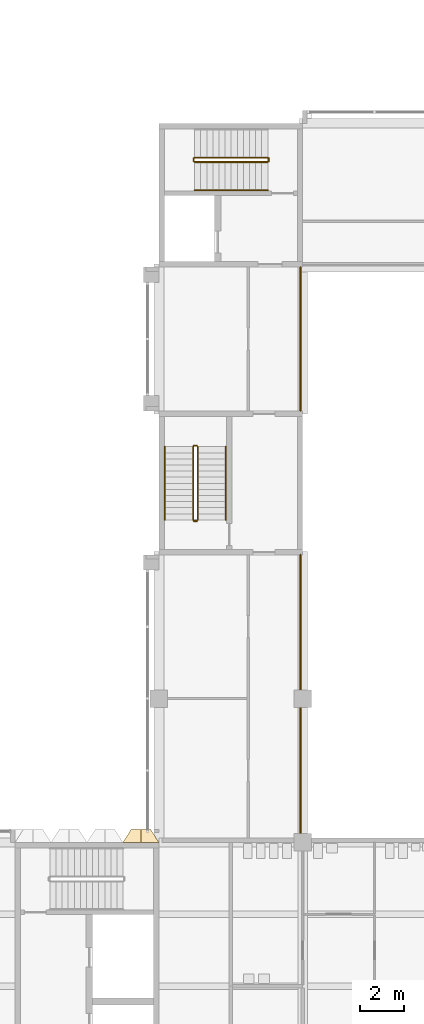
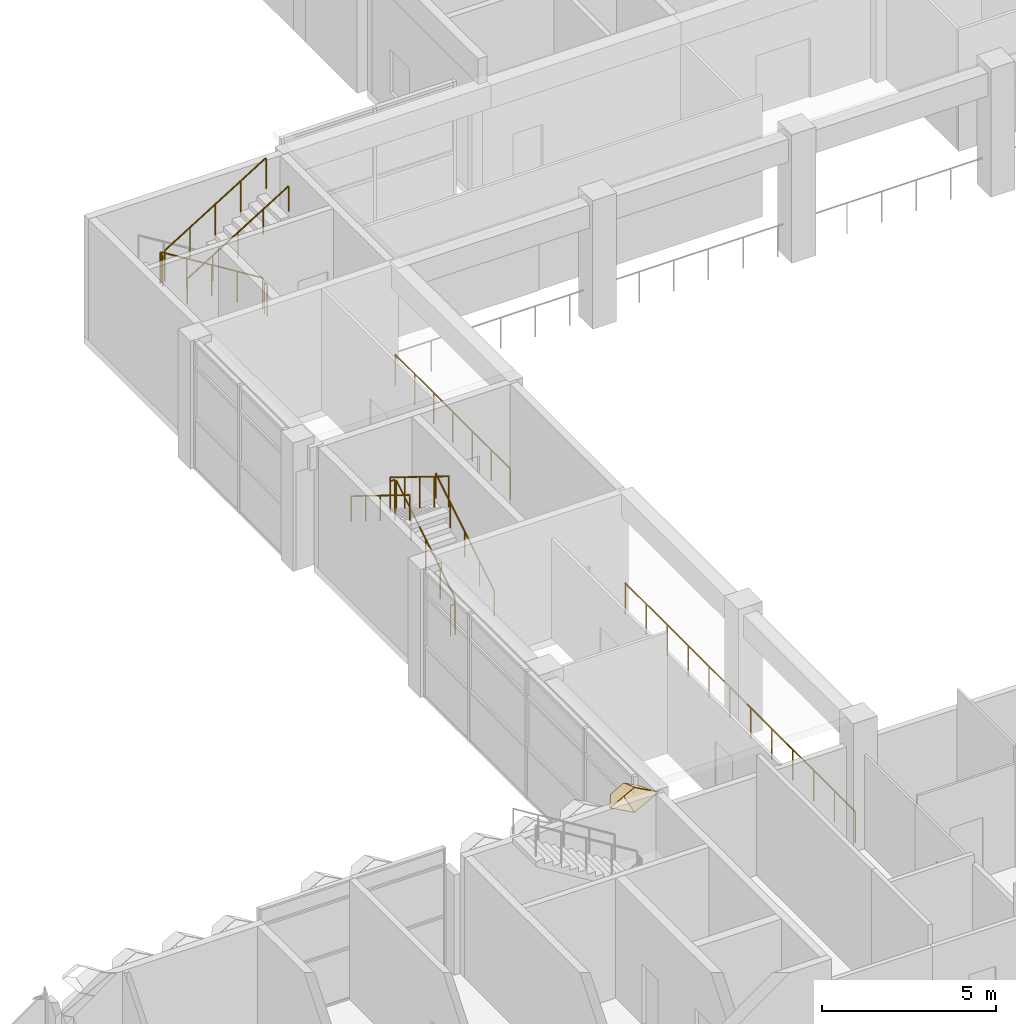
# One storey, part 57 of 87: 13 railings, 1 covering.
"""IFC4 building model written with IfcOpenShell, lengths in metres."""

from ifc_helpers import new_model, entity, si_unit, direction, frame, origin, origin_2d, place, context, subcontext, project, spatial, circle, extrude, material, layer, layer_set, type_object, element, save


model = new_model("IFC4")

# Units and contexts
model_context = context("Model", 3, precision=1e-05, world=origin(), true_north=direction((0.0, 1.0)))
body_context = subcontext(model_context, "Body", "Model", "MODEL_VIEW")
ifc_project = project(units=[si_unit("LENGTHUNIT", "METRE"), si_unit("AREAUNIT", "SQUARE_METRE"), si_unit("VOLUMEUNIT", "CUBIC_METRE"), si_unit("PLANEANGLEUNIT", "RADIAN"), si_unit("MASSUNIT", "GRAM", prefix="KILO")], contexts=[model_context])

# Site, building, storey
site_placement = place(None, origin())
site = spatial("IfcSite", under=ifc_project, at=site_placement, CompositionType="ELEMENT")
building_placement = place(site_placement, origin())
building = spatial("IfcBuilding", under=site, at=building_placement, Name="Lantern Court Research Institute", CompositionType="ELEMENT")
storey_placement = place(building_placement, frame((0.0, 0.0, 5.39990234375)))
storey = spatial("IfcBuildingStorey", under=building, at=storey_placement, Name="L01", CompositionType="ELEMENT", Elevation=5.39990234375)

# Covering
ifc_material_1 = material(Name="Anodised aluminium", Category="aluminium")
ifc_layer = layer(ifc_material_1, 0.01611328125)
ifc_layer_set = layer_set([ifc_layer], Name="Anodised aluminium")
covering_type = type_object("IfcCoveringType", Name="Fin cassette 1650 x 900 x 600 aluminium", PredefinedType="CLADDING", material=ifc_layer_set)
covering_placement = place(storey_placement, frame((38.77490234375, 23.10009765625, 4.050048828125), z_axis=(0.0, 1.0, 0.0), x_axis=(-1.0, 0.0, 0.0)))
cartesian_point_1 = entity("IfcCartesianPoint", [0.824951171875, 0.0])
cartesian_point_2 = entity("IfcCartesianPoint", [0.79150390625, 0.0])
cartesian_point_3 = entity("IfcCartesianPoint", [0.44189453125, 0.0])
cartesian_point_4 = entity("IfcCartesianPoint", [0.43359375, 0.0])
element("IfcCovering", 1, at=covering_placement, inside=storey, type_object=covering_type, Name="Fin cassette V4N-L01 5.24", PredefinedType="CLADDING", context=body_context, shape_type="SweptSolid", body=[
    entity("IfcExtrudedAreaSolidTapered", entity("IfcArbitraryProfileDefWithVoids", "AREA", None, entity("IfcPolyline", [cartesian_point_1, entity("IfcCartesianPoint", [0.0, 0.449951171875]), entity("IfcCartesianPoint", [-0.824951171875, 0.0]), entity("IfcCartesianPoint", [0.0, -0.449951171875]), cartesian_point_1]), [entity("IfcPolyline", [cartesian_point_2, entity("IfcCartesianPoint", [0.0, 0.431884765625]), entity("IfcCartesianPoint", [-0.79150390625, 0.0]), entity("IfcCartesianPoint", [0.0, -0.431884765625]), cartesian_point_2])]), entity("IfcAxis2Placement3D", entity("IfcCartesianPoint", [0.0, 0.0, 0.0])), entity("IfcDirection", [0.0, 0.0, 1.0]), 0.60009765625, entity("IfcArbitraryProfileDefWithVoids", "AREA", None, entity("IfcPolyline", [cartesian_point_3, entity("IfcCartesianPoint", [0.0, 0.240966796875]), entity("IfcCartesianPoint", [-0.44189453125, 0.0]), entity("IfcCartesianPoint", [0.0, -0.240966796875]), cartesian_point_3]), [entity("IfcPolyline", [cartesian_point_4, entity("IfcCartesianPoint", [0.0, 0.236572265625]), entity("IfcCartesianPoint", [-0.43359375, 0.0]), entity("IfcCartesianPoint", [0.0, -0.236572265625]), cartesian_point_4])])),
])

# Railings
ifc_material_2 = material(Name="Structural steel S355", Category="steel")
railing_type_1 = type_object("IfcRailingType", Name="Gallery guard 1100", PredefinedType="GUARDRAIL", material=ifc_material_2)
railing_1_placement = place(storey_placement, frame((46.10009765625, 23.10009765625, 0.0)))
element("IfcRailing", 2, at=railing_1_placement, inside=storey, type_object=railing_type_1, Name="Gallery guard L01", PredefinedType="GUARDRAIL", context=body_context, shape_type="SweptSolid", body=[
    extrude(circle(Radius=0.02490234375, at=origin_2d()), frame((0.0, 0.0, 1.0751953125), z_axis=(0.0, 1.0, 0.0), x_axis=(-1.0, 0.0, 0.0)), (0.0, 0.0, 1.0), 13.199951171875),
    extrude(circle(Radius=0.02001953125, at=origin_2d()), origin(), (0.0, 0.0, 1.0), 1.050048828125),
    extrude(circle(Radius=0.02001953125, at=origin_2d()), frame((0.0, 1.199951171875, 0.0)), (0.0, 0.0, 1.0), 1.050048828125),
    extrude(circle(Radius=0.02001953125, at=origin_2d()), frame((0.0, 2.39990234375, 0.0)), (0.0, 0.0, 1.0), 1.050048828125),
    extrude(circle(Radius=0.02001953125, at=origin_2d()), frame((0.0, 3.60009765625, 0.0)), (0.0, 0.0, 1.0), 1.050048828125),
    extrude(circle(Radius=0.02001953125, at=origin_2d()), frame((0.0, 4.800048828125, 0.0)), (0.0, 0.0, 1.0), 1.050048828125),
    extrude(circle(Radius=0.02001953125, at=origin_2d()), frame((0.0, 6.0, 0.0)), (0.0, 0.0, 1.0), 1.050048828125),
    extrude(circle(Radius=0.02001953125, at=origin_2d()), frame((0.0, 7.199951171875, 0.0)), (0.0, 0.0, 1.0), 1.050048828125),
    extrude(circle(Radius=0.02001953125, at=origin_2d()), frame((0.0, 8.39990234375, 0.0)), (0.0, 0.0, 1.0), 1.050048828125),
    extrude(circle(Radius=0.02001953125, at=origin_2d()), frame((0.0, 9.599853515625, 0.0)), (0.0, 0.0, 1.0), 1.050048828125),
    extrude(circle(Radius=0.02001953125, at=origin_2d()), frame((0.0, 10.800048828125, 0.0)), (0.0, 0.0, 1.0), 1.050048828125),
    extrude(circle(Radius=0.02001953125, at=origin_2d()), frame((0.0, 12.0, 0.0)), (0.0, 0.0, 1.0), 1.050048828125),
    extrude(circle(Radius=0.02001953125, at=origin_2d()), frame((0.0, 13.199951171875, 0.0)), (0.0, 0.0, 1.0), 1.050048828125),
])
railing_2_placement = place(storey_placement, frame((46.10009765625, 42.89990234375, 0.0)))
element("IfcRailing", 3, at=railing_2_placement, inside=storey, type_object=railing_type_1, Name="Gallery guard L01", PredefinedType="GUARDRAIL", context=body_context, shape_type="SweptSolid", body=[
    extrude(circle(Radius=0.02490234375, at=origin_2d()), frame((0.0, 0.0, 1.0751953125), z_axis=(0.0, 1.0, 0.0), x_axis=(-1.0, 0.0, 0.0)), (0.0, 0.0, 1.0), 6.60009765625),
    extrude(circle(Radius=0.02001953125, at=origin_2d()), origin(), (0.0, 0.0, 1.0), 1.050048828125),
    extrude(circle(Radius=0.02001953125, at=origin_2d()), frame((0.0, 1.10009765625, 0.0)), (0.0, 0.0, 1.0), 1.050048828125),
    extrude(circle(Radius=0.02001953125, at=origin_2d()), frame((0.0, 2.199951171875, 0.0)), (0.0, 0.0, 1.0), 1.050048828125),
    extrude(circle(Radius=0.02001953125, at=origin_2d()), frame((0.0, 3.300048828125, 0.0)), (0.0, 0.0, 1.0), 1.050048828125),
    extrude(circle(Radius=0.02001953125, at=origin_2d()), frame((0.0, 4.400146484375, 0.0)), (0.0, 0.0, 1.0), 1.050048828125),
    extrude(circle(Radius=0.02001953125, at=origin_2d()), frame((0.0, 5.5, 0.0)), (0.0, 0.0, 1.0), 1.050048828125),
    extrude(circle(Radius=0.02001953125, at=origin_2d()), frame((0.0, 6.60009765625, 0.0)), (0.0, 0.0, 1.0), 1.050048828125),
])
ifc_material_3 = material(Name="Structural steel S355", Category="steel")
railing_type_2 = type_object("IfcRailingType", Name="Stair guard 1100 steel", PredefinedType="GUARDRAIL", material=ifc_material_3)
railing_3_placement = place(storey_placement, frame((44.60009765625, 54.52490234375, 0.173095703125)))
element("IfcRailing", 4, at=railing_3_placement, inside=storey, type_object=railing_type_2, Name="L01 ST-H1 stair guard 1", PredefinedType="GUARDRAIL", context=body_context, shape_type="SweptSolid", body=[
    extrude(circle(Radius=0.02392578125, at=origin_2d()), frame((0.0, 0.0, 1.076171875), z_axis=(-0.850623216509, 0.0, 0.525775754039), x_axis=(0.0, -1.0, 0.0)), (0.0, 0.0, 1.0), 3.9501953125),
    extrude(circle(Radius=0.02099609375, at=origin_2d()), origin(), (0.0, 0.0, 1.0), 1.052001953125),
    extrude(circle(Radius=0.02099609375, at=origin_2d()), frame((-0.840087890625, 0.0, 0.519287109375)), (0.0, 0.0, 1.0), 1.052001953125),
    extrude(circle(Radius=0.02099609375, at=origin_2d()), frame((-1.68017578125, 0.0, 1.03857421875)), (0.0, 0.0, 1.0), 1.052001953125),
    extrude(circle(Radius=0.02099609375, at=origin_2d()), frame((-2.52001953125, 0.0, 1.5576171875)), (0.0, 0.0, 1.0), 1.052001953125),
    extrude(circle(Radius=0.02099609375, at=origin_2d()), frame((-3.360107421875, 0.0, 2.076904296875)), (0.0, 0.0, 1.0), 1.052001953125),
])
railing_4_placement = place(storey_placement, frame((41.18994140625, 54.5, 2.25)))
element("IfcRailing", 5, at=railing_4_placement, inside=storey, type_object=railing_type_2, Name="L01 ST-H1 stair guard 2", PredefinedType="GUARDRAIL", context=body_context, shape_type="SweptSolid", body=[
    extrude(circle(Radius=0.02392578125, at=origin_2d()), frame((0.0, 0.0, 1.076171875), z_axis=(0.0, -1.0, 0.0), x_axis=(1.0, 0.0, 0.0)), (0.0, 0.0, 1.0), 0.14990234375),
    extrude(circle(Radius=0.02099609375, at=origin_2d()), origin(), (0.0, 0.0, 1.0), 1.052001953125),
    extrude(circle(Radius=0.02099609375, at=origin_2d()), frame((0.0, -0.14990234375, 0.0)), (0.0, 0.0, 1.0), 1.052001953125),
])
railing_5_placement = place(storey_placement, frame((41.239990234375, 54.324951171875, 2.423095703125)))
element("IfcRailing", 6, at=railing_5_placement, inside=storey, type_object=railing_type_2, Name="L01 ST-H1 stair guard 3", PredefinedType="GUARDRAIL", context=body_context, shape_type="SweptSolid", body=[
    extrude(circle(Radius=0.02392578125, at=origin_2d()), frame((0.0, 0.0, 1.076171875), z_axis=(0.850623216509, 0.0, 0.525775754039), x_axis=(0.0, 1.0, 0.0)), (0.0, 0.0, 1.0), 3.9501953125),
    extrude(circle(Radius=0.02099609375, at=origin_2d()), origin(), (0.0, 0.0, 1.0), 1.052001953125),
    extrude(circle(Radius=0.02099609375, at=origin_2d()), frame((0.840087890625, 0.0, 0.519287109375)), (0.0, 0.0, 1.0), 1.052001953125),
    extrude(circle(Radius=0.02099609375, at=origin_2d()), frame((1.68017578125, 0.0, 1.03857421875)), (0.0, 0.0, 1.0), 1.052001953125),
    extrude(circle(Radius=0.02099609375, at=origin_2d()), frame((2.52001953125, 0.0, 1.5576171875)), (0.0, 0.0, 1.0), 1.052001953125),
    extrude(circle(Radius=0.02099609375, at=origin_2d()), frame((3.360107421875, 0.0, 2.076904296875)), (0.0, 0.0, 1.0), 1.052001953125),
])
railing_6_placement = place(storey_placement, frame((44.64990234375, 54.5, 0.0)))
element("IfcRailing", 7, at=railing_6_placement, inside=storey, type_object=railing_type_2, Name="L01 ST-H1 stair guard 4", PredefinedType="GUARDRAIL", context=body_context, shape_type="SweptSolid", body=[
    extrude(circle(Radius=0.02392578125, at=origin_2d()), frame((0.0, 0.0, 1.076171875), z_axis=(0.0, -1.0, 0.0), x_axis=(1.0, 0.0, 0.0)), (0.0, 0.0, 1.0), 0.14990234375),
    extrude(circle(Radius=0.02099609375, at=origin_2d()), origin(), (0.0, 0.0, 1.0), 1.052001953125),
    extrude(circle(Radius=0.02099609375, at=origin_2d()), frame((0.0, -0.14990234375, 0.0)), (0.0, 0.0, 1.0), 1.052001953125),
])
railing_7_placement = place(storey_placement, frame((41.375, 37.89990234375, 0.173095703125)))
element("IfcRailing", 8, at=railing_7_placement, inside=storey, type_object=railing_type_2, Name="L01 ST-H3 stair guard 1", PredefinedType="GUARDRAIL", context=body_context, shape_type="SweptSolid", body=[
    extrude(circle(Radius=0.02392578125, at=origin_2d()), frame((0.0, 0.0, 1.076171875), z_axis=(0.0, 0.850623216509, 0.525775754039), x_axis=(-1.0, 0.0, 0.0)), (0.0, 0.0, 1.0), 3.9501953125),
    extrude(circle(Radius=0.02099609375, at=origin_2d()), origin(), (0.0, 0.0, 1.0), 1.052001953125),
    extrude(circle(Radius=0.02099609375, at=origin_2d()), frame((0.0, 0.840087890625, 0.519287109375)), (0.0, 0.0, 1.0), 1.052001953125),
    extrude(circle(Radius=0.02099609375, at=origin_2d()), frame((0.0, 1.68017578125, 1.03857421875)), (0.0, 0.0, 1.0), 1.052001953125),
    extrude(circle(Radius=0.02099609375, at=origin_2d()), frame((0.0, 2.52001953125, 1.5576171875)), (0.0, 0.0, 1.0), 1.052001953125),
    extrude(circle(Radius=0.02099609375, at=origin_2d()), frame((0.0, 3.360107421875, 2.076904296875)), (0.0, 0.0, 1.0), 1.052001953125),
])
railing_8_placement = place(storey_placement, frame((41.35009765625, 41.31005859375, 2.25)))
element("IfcRailing", 9, at=railing_8_placement, inside=storey, type_object=railing_type_2, Name="L01 ST-H3 stair guard 2", PredefinedType="GUARDRAIL", context=body_context, shape_type="SweptSolid", body=[
    extrude(circle(Radius=0.02392578125, at=origin_2d()), frame((0.0, 0.0, 1.076171875), z_axis=(-1.0, 0.0, 0.0), x_axis=(0.0, -1.0, 0.0)), (0.0, 0.0, 1.0), 0.150146484375),
    extrude(circle(Radius=0.02099609375, at=origin_2d()), origin(), (0.0, 0.0, 1.0), 1.052001953125),
    extrude(circle(Radius=0.02099609375, at=origin_2d()), frame((-0.150146484375, 0.0, 0.0)), (0.0, 0.0, 1.0), 1.052001953125),
])
railing_9_placement = place(storey_placement, frame((41.175048828125, 41.260009765625, 2.423095703125)))
element("IfcRailing", 10, at=railing_9_placement, inside=storey, type_object=railing_type_2, Name="L01 ST-H3 stair guard 3", PredefinedType="GUARDRAIL", context=body_context, shape_type="SweptSolid", body=[
    extrude(circle(Radius=0.02392578125, at=origin_2d()), frame((0.0, 0.0, 1.076171875), z_axis=(0.0, -0.850623216509, 0.525775754039), x_axis=(1.0, 0.0, 0.0)), (0.0, 0.0, 1.0), 3.9501953125),
    extrude(circle(Radius=0.02099609375, at=origin_2d()), origin(), (0.0, 0.0, 1.0), 1.052001953125),
    extrude(circle(Radius=0.02099609375, at=origin_2d()), frame((0.0, -0.840087890625, 0.519287109375)), (0.0, 0.0, 1.0), 1.052001953125),
    extrude(circle(Radius=0.02099609375, at=origin_2d()), frame((0.0, -1.68017578125, 1.03857421875)), (0.0, 0.0, 1.0), 1.052001953125),
    extrude(circle(Radius=0.02099609375, at=origin_2d()), frame((0.0, -2.52001953125, 1.5576171875)), (0.0, 0.0, 1.0), 1.052001953125),
    extrude(circle(Radius=0.02099609375, at=origin_2d()), frame((0.0, -3.360107421875, 2.076904296875)), (0.0, 0.0, 1.0), 1.052001953125),
])
railing_10_placement = place(storey_placement, frame((41.35009765625, 37.85009765625, 0.0)))
element("IfcRailing", 11, at=railing_10_placement, inside=storey, type_object=railing_type_2, Name="L01 ST-H3 stair guard 4", PredefinedType="GUARDRAIL", context=body_context, shape_type="SweptSolid", body=[
    extrude(circle(Radius=0.02392578125, at=origin_2d()), frame((0.0, 0.0, 1.076171875), z_axis=(-1.0, 0.0, 0.0), x_axis=(0.0, -1.0, 0.0)), (0.0, 0.0, 1.0), 0.150146484375),
    extrude(circle(Radius=0.02099609375, at=origin_2d()), origin(), (0.0, 0.0, 1.0), 1.052001953125),
    extrude(circle(Radius=0.02099609375, at=origin_2d()), frame((-0.150146484375, 0.0, 0.0)), (0.0, 0.0, 1.0), 1.052001953125),
])
ifc_material_4 = material(Name="Stainless steel 316", Category="steel")
railing_type_3 = type_object("IfcRailingType", Name="Stair handrail 900 steel", PredefinedType="HANDRAIL", material=ifc_material_4)
railing_11_placement = place(storey_placement, frame((41.239990234375, 53.02490234375, 2.423095703125)))
element("IfcRailing", 12, at=railing_11_placement, inside=storey, type_object=railing_type_3, Name="L01 ST-H1 stair handrail 2", PredefinedType="HANDRAIL", context=body_context, shape_type="SweptSolid", body=[
    extrude(circle(Radius=0.02392578125, at=origin_2d()), frame((0.0, 0.0, 0.8759765625), z_axis=(0.850623216509, 0.0, 0.525775754039), x_axis=(0.0, 1.0, 0.0)), (0.0, 0.0, 1.0), 3.9501953125),
    extrude(circle(Radius=0.02099609375, at=origin_2d()), origin(), (0.0, 0.0, 1.0), 0.851806640625),
    extrude(circle(Radius=0.02099609375, at=origin_2d()), frame((0.840087890625, 0.0, 0.519287109375)), (0.0, 0.0, 1.0), 0.851806640625),
    extrude(circle(Radius=0.02099609375, at=origin_2d()), frame((1.68017578125, 0.0, 1.03857421875)), (0.0, 0.0, 1.0), 0.851806640625),
    extrude(circle(Radius=0.02099609375, at=origin_2d()), frame((2.52001953125, 0.0, 1.5576171875)), (0.0, 0.0, 1.0), 0.851806640625),
    extrude(circle(Radius=0.02099609375, at=origin_2d()), frame((3.360107421875, 0.0, 2.076904296875)), (0.0, 0.0, 1.0), 0.851806640625),
])
railing_12_placement = place(storey_placement, frame((42.675048828125, 37.89990234375, 0.173095703125)))
element("IfcRailing", 13, at=railing_12_placement, inside=storey, type_object=railing_type_3, Name="L01 ST-H3 stair handrail 1", PredefinedType="HANDRAIL", context=body_context, shape_type="SweptSolid", body=[
    extrude(circle(Radius=0.02392578125, at=origin_2d()), frame((0.0, 0.0, 0.8759765625), z_axis=(0.0, 0.850623216509, 0.525775754039), x_axis=(-1.0, 0.0, 0.0)), (0.0, 0.0, 1.0), 3.9501953125),
    extrude(circle(Radius=0.02099609375, at=origin_2d()), origin(), (0.0, 0.0, 1.0), 0.851806640625),
    extrude(circle(Radius=0.02099609375, at=origin_2d()), frame((0.0, 0.840087890625, 0.519287109375)), (0.0, 0.0, 1.0), 0.851806640625),
    extrude(circle(Radius=0.02099609375, at=origin_2d()), frame((0.0, 1.68017578125, 1.03857421875)), (0.0, 0.0, 1.0), 0.851806640625),
    extrude(circle(Radius=0.02099609375, at=origin_2d()), frame((0.0, 2.52001953125, 1.5576171875)), (0.0, 0.0, 1.0), 0.851806640625),
    extrude(circle(Radius=0.02099609375, at=origin_2d()), frame((0.0, 3.360107421875, 2.076904296875)), (0.0, 0.0, 1.0), 0.851806640625),
])
railing_13_placement = place(storey_placement, frame((39.875, 41.260009765625, 2.423095703125)))
element("IfcRailing", 14, at=railing_13_placement, inside=storey, type_object=railing_type_3, Name="L01 ST-H3 stair handrail 2", PredefinedType="HANDRAIL", context=body_context, shape_type="SweptSolid", body=[
    extrude(circle(Radius=0.02392578125, at=origin_2d()), frame((0.0, 0.0, 0.8759765625), z_axis=(0.0, -0.850623216509, 0.525775754039), x_axis=(1.0, 0.0, 0.0)), (0.0, 0.0, 1.0), 3.9501953125),
    extrude(circle(Radius=0.02099609375, at=origin_2d()), origin(), (0.0, 0.0, 1.0), 0.851806640625),
    extrude(circle(Radius=0.02099609375, at=origin_2d()), frame((0.0, -0.840087890625, 0.519287109375)), (0.0, 0.0, 1.0), 0.851806640625),
    extrude(circle(Radius=0.02099609375, at=origin_2d()), frame((0.0, -1.68017578125, 1.03857421875)), (0.0, 0.0, 1.0), 0.851806640625),
    extrude(circle(Radius=0.02099609375, at=origin_2d()), frame((0.0, -2.52001953125, 1.5576171875)), (0.0, 0.0, 1.0), 0.851806640625),
    extrude(circle(Radius=0.02099609375, at=origin_2d()), frame((0.0, -3.360107421875, 2.076904296875)), (0.0, 0.0, 1.0), 0.851806640625),
])

save(model, "model.ifc")
